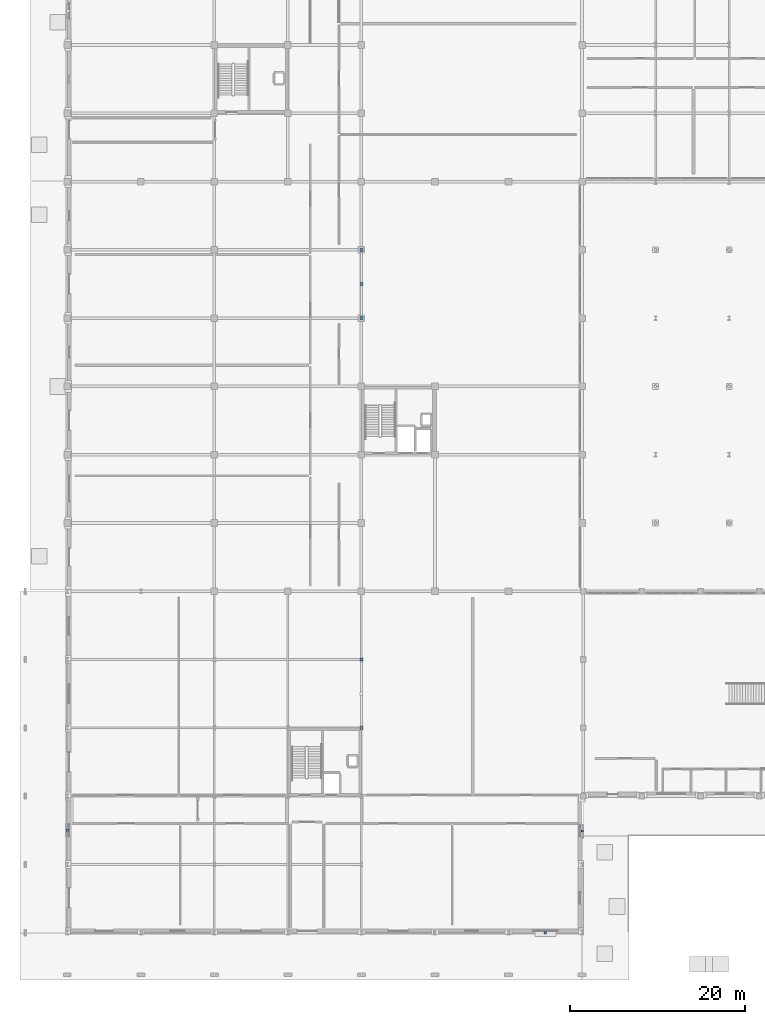
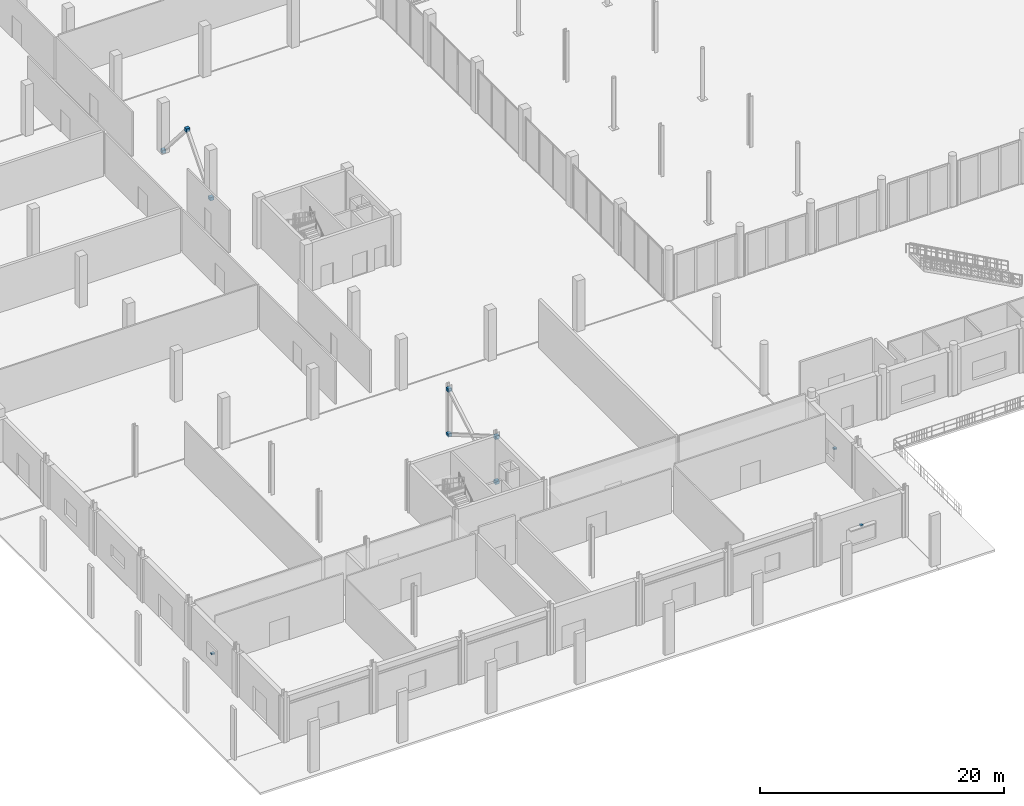
# One storey, part 62 of 80: 10 discrete accessories.
"""IFC4 building model written with IfcOpenShell, lengths in metres."""

from ifc_helpers import new_model, si_unit, direction, frame, origin, origin_2d, place, context, subcontext, project, spatial, rectangle, extrude, material, layer, layer_set, type_object, element, save


model = new_model("IFC4")

# Units and contexts
model_context = context("Model", 3, precision=1e-05, world=origin(), true_north=direction((0.0, 1.0)))
body_context = subcontext(model_context, "Body", "Model", "MODEL_VIEW")
ifc_project = project(units=[si_unit("LENGTHUNIT", "METRE"), si_unit("AREAUNIT", "SQUARE_METRE"), si_unit("VOLUMEUNIT", "CUBIC_METRE"), si_unit("PLANEANGLEUNIT", "RADIAN"), si_unit("MASSUNIT", "GRAM", prefix="KILO")], contexts=[model_context])

# Site, building, storey
site_placement = place(None, origin())
site = spatial("IfcSite", under=ifc_project, at=site_placement, CompositionType="ELEMENT")
building_placement = place(site_placement, origin())
building = spatial("IfcBuilding", under=site, at=building_placement, Name="Nabrawat Pavilion Hospital", CompositionType="ELEMENT")
storey_placement = place(building_placement, origin())
storey = spatial("IfcBuildingStorey", under=building, at=storey_placement, Name="L00", CompositionType="ELEMENT", Elevation=0.0)

# Discrete accessories
ifc_material = material(Name="Steel S355", Category="steel")
ifc_layer_1 = layer(ifc_material, 0.02001953125, Name="Steel S355")
ifc_layer_set_1 = layer_set([ifc_layer_1], Name="Steel S355")
discrete_accessory_type_1 = type_object("IfcDiscreteAccessoryType", Name="Brace and Strut Gusset End Bracket 20", PredefinedType="BRACKET", material=ifc_layer_set_1)
for number, where, z_axis, x_axis, name in (
    (1, (33.60009765625, 23.39990234375, -0.1201171875), (0.0, 0.0, 1.0), (1.0, 0.0, 0.0), "L00 Brace and Strut Gusset End Connection 0005"),
    (2, (33.60009765625, 31.199951171875, 4.3798828125), (0.0, 0.0, 1.0), (1.0, 0.0, 0.0), "L00 Brace and Strut Gusset End Connection 0006"),
    (3, (33.60009765625, 23.39990234375, 4.3798828125), (0.0, 0.0, 1.0), (1.0, 0.0, 0.0), "L00 Brace and Strut Gusset End Connection 0007"),
    (4, (33.60009765625, 31.199951171875, -0.1201171875), (0.0, 0.0, 1.0), (1.0, 0.0, 0.0), "L00 Brace and Strut Gusset End Connection 0008"),
    (5, (33.60009765625, 74.10009765625, 4.3798828125), (0.0, 0.0, 1.0), (1.0, 0.0, 0.0), "L00 Brace and Strut Gusset End Connection 0036"),
    (6, (33.60009765625, 70.199951171875, -0.1201171875), (0.0, 0.0, 1.0), (1.0, 0.0, 0.0), "L00 Brace and Strut Gusset End Connection 0037"),
    (7, (33.60009765625, 78.0, -0.1201171875), (0.0, 0.0, 1.0), (1.0, 0.0, 0.0), "L00 Brace and Strut Gusset End Connection 0038"),
):
    element("IfcDiscreteAccessory", number, at=place(storey_placement, frame(where, z_axis=z_axis, x_axis=x_axis)), inside=storey, type_object=discrete_accessory_type_1, Name=name, PredefinedType="BRACKET", context=body_context, shape_type="SweptSolid", body=[
        extrude(rectangle(XDim=0.340087890625, YDim=0.340087890625, at=origin_2d()), origin(), (0.0, 0.0, 1.0), 0.340087890625),
    ])
ifc_layer_2 = layer(ifc_material, 0.159912109375, Name="Steel S355")
ifc_layer_set_2 = layer_set([ifc_layer_2], Name="Steel S355")
discrete_accessory_type_2 = type_object("IfcDiscreteAccessoryType", Name="Facade Shading Support Steel Bracket", PredefinedType="BRACKET", material=ifc_layer_set_2)
for number, where, z_axis, x_axis, name in (
    (8, (-0.014892578125, 11.699951171875, 1.64501953125), (0.0, 0.0, 1.0), (0.0, 1.0, 0.0), "L00 Facade Shading Bracket 001"),
    (9, (54.60009765625, -0.014892578125, 2.47021484375), (0.0, 0.0, 1.0), (1.0, 0.0, 0.0), "L00 Facade Shading Bracket 002"),
    (10, (58.81494140625, 11.614990234375, 1.6201171875), (0.0, 0.0, 1.0), (0.0, 1.0, 0.0), "L00 Facade Shading Bracket 004"),
):
    element("IfcDiscreteAccessory", number, at=place(storey_placement, frame(where, z_axis=z_axis, x_axis=x_axis)), inside=storey, type_object=discrete_accessory_type_2, Name=name, PredefinedType="BRACKET", context=body_context, shape_type="SweptSolid", body=[
        extrude(rectangle(XDim=0.239990234375, YDim=0.280029296875, at=origin_2d()), origin(), (0.0, 0.0, 1.0), 0.159912109375),
    ])

save(model, "model.ifc")
